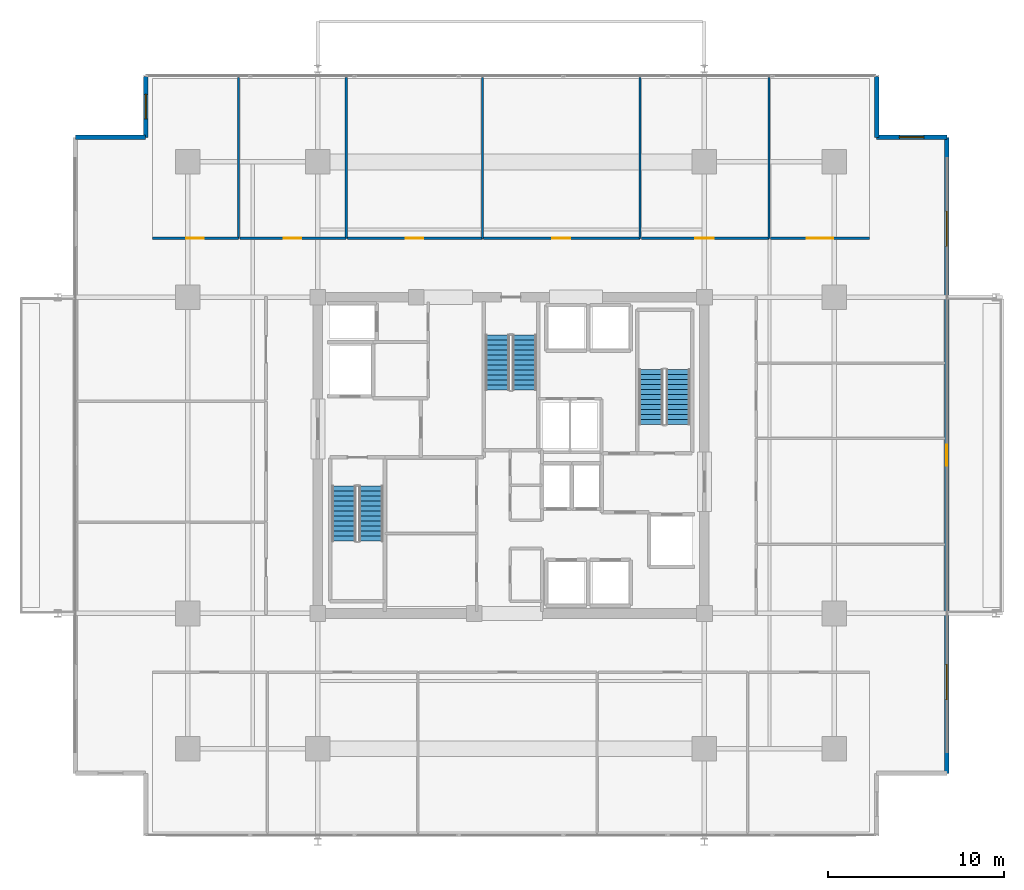
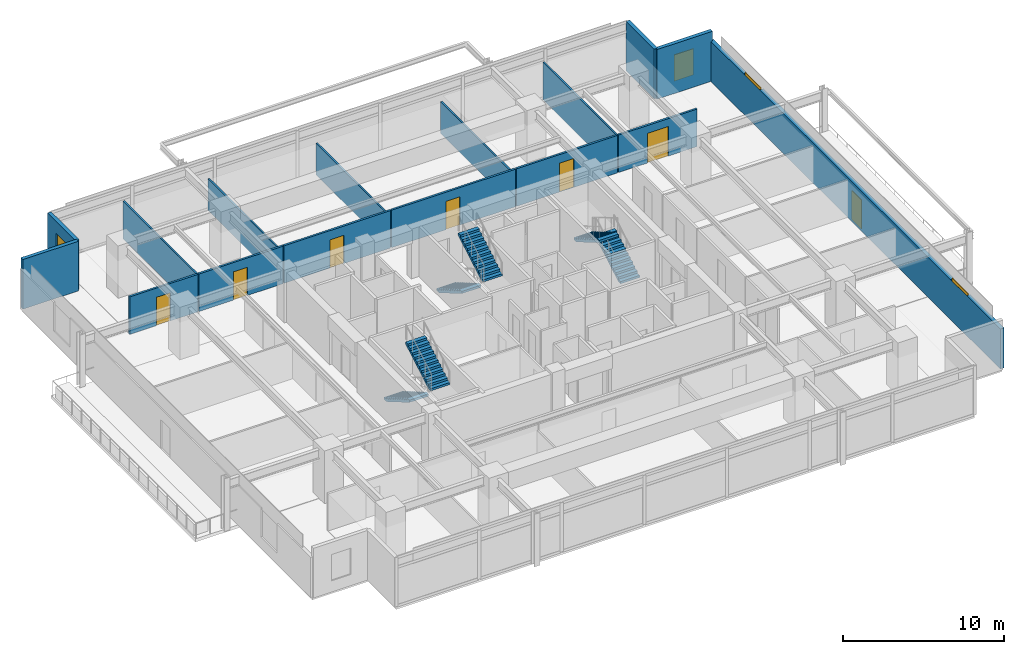
# One storey, part 17 of 21: 16 walls, 7 doors, 6 stair flights, 4 windows, 11 openings, 3 elements without a shape of their own.
"""IFC4 building model written with IfcOpenShell, lengths in metres."""

from ifc_helpers import new_model, si_unit, direction, frame, frame_2d, origin, place, context, subcontext, project, spatial, polyline, rectangle, outline, extrude, material, layer, layer_set, type_object, element, fill, aggregate, save


model = new_model("IFC4")

# Units and contexts
model_context = context("Model", 3, precision=1e-05, world=origin(), true_north=direction((0.0, 1.0)))
body_context = subcontext(model_context, "Body", "Model", "MODEL_VIEW")
ifc_project = project(units=[si_unit("LENGTHUNIT", "METRE"), si_unit("AREAUNIT", "SQUARE_METRE"), si_unit("VOLUMEUNIT", "CUBIC_METRE"), si_unit("PLANEANGLEUNIT", "RADIAN"), si_unit("MASSUNIT", "GRAM", prefix="KILO")], contexts=[model_context])

# Site, building, storey
site_placement = place(None, origin())
site = spatial("IfcSite", under=ifc_project, at=site_placement, CompositionType="ELEMENT")
building_placement = place(site_placement, origin())
building = spatial("IfcBuilding", under=site, at=building_placement, Name="Kovane Verandah Tower", CompositionType="ELEMENT")
storey_placement = place(building_placement, frame((0.0, 0.0, 205.199951171875)))
storey = spatial("IfcBuildingStorey", under=building, at=storey_placement, Name="L47", CompositionType="ELEMENT", Elevation=205.199951171875)

# Wall, opening, door
ifc_material_1 = material(Name="Fire-Rated Gypsum Stud Partition", Category="gypsum")
ifc_layer_1 = layer(ifc_material_1, 0.14990234375)
ifc_layer_set_1 = layer_set([ifc_layer_1], Name="Fire-Rated Gypsum Stud Partition")
wall_type_1 = type_object("IfcWallType", Name="WL-COR-150", PredefinedType="PARTITIONING", material=ifc_layer_set_1)
wall_1_placement = place(storey_placement, frame((19.60009765625, 39.85009765625, 0.0), z_axis=(0.0, 0.0, 1.0), x_axis=(1.0, 0.0, 0.0)))
wall_1 = element("IfcWall", 1, at=wall_1_placement, inside=storey, type_object=wall_type_1, Name="L47 Breakout Pantry N1 Corridor Partition", PredefinedType="PARTITIONING", context=body_context, shape_type="SweptSolid", body=[
    extrude(rectangle(XDim=4.89599609375, YDim=0.14990234375, at=frame_2d((2.447998046875, 0.0))), origin(), (0.0, 0.0, 1.0), 2.85009765625),
])
opening_1_placement = place(wall_1_placement, frame((1.9130859375, 0.0, 0.0)))
opening_1 = element("IfcOpeningElement", 2, at=opening_1_placement, cuts=wall_1, Name="Opening DR-L47-020", PredefinedType="OPENING", context=body_context, shape_type="SweptSolid", body=[
    extrude(rectangle(XDim=1.0, YDim=2.14990234375, at=frame_2d((0.5, 1.074951171875))), frame((0.0, 0.074951171875, 0.0), z_axis=(0.0, -1.0, 0.0), x_axis=(1.0, 0.0, 0.0)), (0.0, 0.0, 1.0), 0.14990234375),
])
ifc_material_2 = material(Name="FSC Spotted-Gum Timber Fire-Rated Office Door", Category="wood")
door_type_1 = type_object("IfcDoorType", Name="DR-OFF-1000", OperationType="SINGLE_SWING_LEFT", PredefinedType="DOOR", material=ifc_material_2)
door_1_placement = place(opening_1_placement, origin())
door_1 = element("IfcDoor", 3, at=door_1_placement, inside=storey, type_object=door_type_1, Name="L47 Breakout Pantry N1 Entrance Door", OperationType="SINGLE_SWING_RIGHT", OverallHeight=2.14990234375, OverallWidth=1.0, PredefinedType="DOOR", context=body_context, shape_type="SweptSolid", body=[
    extrude(rectangle(XDim=1.0, YDim=2.14990234375, at=frame_2d((0.5, 1.074951171875))), frame((0.0, 0.02490234375, 0.0), z_axis=(0.0, -1.0, 0.0), x_axis=(1.0, 0.0, 0.0)), (0.0, 0.0, 1.0), 0.050048828125),
])
fill(opening_1, door_1)

wall_2_placement = place(storey_placement, frame((24.56591796875, 39.85009765625, 0.0), z_axis=(0.0, 0.0, 1.0), x_axis=(1.0, 0.0, 0.0)))
wall_2 = element("IfcWall", 4, at=wall_2_placement, inside=storey, type_object=wall_type_1, Name="L47 Collaboration Hub N2 Corridor Partition", PredefinedType="PARTITIONING", context=body_context, shape_type="SweptSolid", body=[
    extrude(rectangle(XDim=6.050048828125, YDim=0.14990234375, at=frame_2d((3.02490234375, 0.0))), origin(), (0.0, 0.0, 1.0), 2.85009765625),
])
opening_2_placement = place(wall_2_placement, frame((2.489990234375, 0.0, 0.0)))
opening_2 = element("IfcOpeningElement", 5, at=opening_2_placement, cuts=wall_2, Name="Opening DR-L47-021", PredefinedType="OPENING", context=body_context, shape_type="SweptSolid", body=[
    extrude(rectangle(XDim=1.0, YDim=2.14990234375, at=frame_2d((0.5, 1.074951171875))), frame((0.0, 0.074951171875, 0.0), z_axis=(0.0, -1.0, 0.0), x_axis=(1.0, 0.0, 0.0)), (0.0, 0.0, 1.0), 0.14990234375),
])
door_2_placement = place(opening_2_placement, origin())
door_2 = element("IfcDoor", 6, at=door_2_placement, inside=storey, type_object=door_type_1, Name="L47 Collaboration Hub N2 Entrance Door", OperationType="SINGLE_SWING_LEFT", OverallHeight=2.14990234375, OverallWidth=1.0, PredefinedType="DOOR", context=body_context, shape_type="SweptSolid", body=[
    extrude(rectangle(XDim=1.0, YDim=2.14990234375, at=frame_2d((0.5, 1.074951171875))), frame((0.0, 0.02490234375, 0.0), z_axis=(0.0, -1.0, 0.0), x_axis=(1.0, 0.0, 0.0)), (0.0, 0.0, 1.0), 0.050048828125),
])
fill(opening_2, door_2)

wall_3_placement = place(storey_placement, frame((30.68603515625, 39.85009765625, 0.0), z_axis=(0.0, 0.0, 1.0), x_axis=(1.0, 0.0, 0.0)))
wall_3 = element("IfcWall", 7, at=wall_3_placement, inside=storey, type_object=wall_type_1, Name="L47 Document and Print Room N3 Corridor Partition", PredefinedType="PARTITIONING", context=body_context, shape_type="SweptSolid", body=[
    extrude(rectangle(XDim=7.681884765625, YDim=0.14990234375, at=frame_2d((3.8408203125, 0.0))), origin(), (0.0, 0.0, 1.0), 2.85009765625),
])
opening_3_placement = place(wall_3_placement, frame((3.305908203125, 0.0, 0.0)))
opening_3 = element("IfcOpeningElement", 8, at=opening_3_placement, cuts=wall_3, Name="Opening DR-L47-022", PredefinedType="OPENING", context=body_context, shape_type="SweptSolid", body=[
    extrude(rectangle(XDim=1.0, YDim=2.14990234375, at=frame_2d((0.5, 1.074951171875))), frame((0.0, 0.074951171875, 0.0), z_axis=(0.0, -1.0, 0.0), x_axis=(1.0, 0.0, 0.0)), (0.0, 0.0, 1.0), 0.14990234375),
])
door_3_placement = place(opening_3_placement, origin())
door_3 = element("IfcDoor", 9, at=door_3_placement, inside=storey, type_object=door_type_1, Name="L47 Document and Print Room N3 Entrance Door", OperationType="SINGLE_SWING_RIGHT", OverallHeight=2.14990234375, OverallWidth=1.0, PredefinedType="DOOR", context=body_context, shape_type="SweptSolid", body=[
    extrude(rectangle(XDim=1.0, YDim=2.14990234375, at=frame_2d((0.5, 1.074951171875))), frame((0.0, 0.02490234375, 0.0), z_axis=(0.0, -1.0, 0.0), x_axis=(1.0, 0.0, 0.0)), (0.0, 0.0, 1.0), 0.050048828125),
])
fill(opening_3, door_3)

wall_4_placement = place(storey_placement, frame((38.43798828125, 39.85009765625, 0.0), z_axis=(0.0, 0.0, 1.0), x_axis=(1.0, 0.0, 0.0)))
wall_4 = element("IfcWall", 10, at=wall_4_placement, inside=storey, type_object=wall_type_1, Name="L47 Open Plan Office N4 Corridor Partition", PredefinedType="PARTITIONING", context=body_context, shape_type="SweptSolid", body=[
    extrude(rectangle(XDim=8.906005859375, YDim=0.14990234375, at=frame_2d((4.453125, 0.0))), origin(), (0.0, 0.0, 1.0), 2.85009765625),
])
opening_4_placement = place(wall_4_placement, frame((3.91796875, 0.0, 0.0)))
opening_4 = element("IfcOpeningElement", 11, at=opening_4_placement, cuts=wall_4, Name="Opening DR-L47-023", PredefinedType="OPENING", context=body_context, shape_type="SweptSolid", body=[
    extrude(rectangle(XDim=1.0, YDim=2.14990234375, at=frame_2d((0.5, 1.074951171875))), frame((0.0, 0.074951171875, 0.0), z_axis=(0.0, -1.0, 0.0), x_axis=(1.0, 0.0, 0.0)), (0.0, 0.0, 1.0), 0.14990234375),
])
door_4_placement = place(opening_4_placement, origin())
door_4 = element("IfcDoor", 12, at=door_4_placement, inside=storey, type_object=door_type_1, Name="L47 Open Plan Office N4 Entrance Door", OperationType="SINGLE_SWING_LEFT", OverallHeight=2.14990234375, OverallWidth=1.0, PredefinedType="DOOR", context=body_context, shape_type="SweptSolid", body=[
    extrude(rectangle(XDim=1.0, YDim=2.14990234375, at=frame_2d((0.5, 1.074951171875))), frame((0.0, 0.02490234375, 0.0), z_axis=(0.0, -1.0, 0.0), x_axis=(1.0, 0.0, 0.0)), (0.0, 0.0, 1.0), 0.050048828125),
])
fill(opening_4, door_4)

wall_5_placement = place(storey_placement, frame((47.4140625, 39.85009765625, 0.0), z_axis=(0.0, 0.0, 1.0), x_axis=(1.0, 0.0, 0.0)))
wall_5 = element("IfcWall", 13, at=wall_5_placement, inside=storey, type_object=wall_type_1, Name="L47 Executive Office N5 Corridor Partition", PredefinedType="PARTITIONING", context=body_context, shape_type="SweptSolid", body=[
    extrude(rectangle(XDim=7.27392578125, YDim=0.14990234375, at=frame_2d((3.636962890625, 0.0))), origin(), (0.0, 0.0, 1.0), 2.85009765625),
])
opening_5_placement = place(wall_5_placement, frame((3.076904296875, 0.0, 0.0)))
opening_5 = element("IfcOpeningElement", 14, at=opening_5_placement, cuts=wall_5, Name="Opening DR-L47-024", PredefinedType="OPENING", context=body_context, shape_type="SweptSolid", body=[
    extrude(rectangle(XDim=1.050048828125, YDim=2.199951171875, at=frame_2d((0.52490234375, 1.10009765625))), frame((0.0, 0.074951171875, 0.0), z_axis=(0.0, -1.0, 0.0), x_axis=(1.0, 0.0, 0.0)), (0.0, 0.0, 1.0), 0.14990234375),
])
ifc_material_3 = material(Name="FSC Blackbutt Timber Fire-Rated Executive Door", Category="wood")
door_type_2 = type_object("IfcDoorType", Name="DR-EXEC-1050", OperationType="SINGLE_SWING_LEFT", PredefinedType="DOOR", material=ifc_material_3)
door_5_placement = place(opening_5_placement, origin())
door_5 = element("IfcDoor", 15, at=door_5_placement, inside=storey, type_object=door_type_2, Name="L47 Executive Office N5 Entrance Door", OperationType="SINGLE_SWING_RIGHT", OverallHeight=2.199951171875, OverallWidth=1.050048828125, PredefinedType="DOOR", context=body_context, shape_type="SweptSolid", body=[
    extrude(rectangle(XDim=1.050048828125, YDim=2.199951171875, at=frame_2d((0.52490234375, 1.10009765625))), frame((0.0, 0.02490234375, 0.0), z_axis=(0.0, -1.0, 0.0), x_axis=(1.0, 0.0, 0.0)), (0.0, 0.0, 1.0), 0.050048828125),
])
fill(opening_5, door_5)

wall_6_placement = place(storey_placement, frame((54.758056640625, 39.85009765625, 0.0), z_axis=(0.0, 0.0, 1.0), x_axis=(1.0, 0.0, 0.0)))
wall_6 = element("IfcWall", 16, at=wall_6_placement, inside=storey, type_object=wall_type_1, Name="L47 Client Boardroom N6 Corridor Partition", PredefinedType="PARTITIONING", context=body_context, shape_type="SweptSolid", body=[
    extrude(rectangle(XDim=5.641845703125, YDim=0.14990234375, at=frame_2d((2.82080078125, 0.0))), origin(), (0.0, 0.0, 1.0), 2.85009765625),
])
opening_6_placement = place(wall_6_placement, frame((2.071044921875, 0.0, 0.0)))
opening_6 = element("IfcOpeningElement", 17, at=opening_6_placement, cuts=wall_6, Name="Opening DR-L47-025", PredefinedType="OPENING", context=body_context, shape_type="SweptSolid", body=[
    extrude(rectangle(XDim=1.5, YDim=2.25, at=frame_2d((0.75, 1.125))), frame((0.0, 0.074951171875, 0.0), z_axis=(0.0, -1.0, 0.0), x_axis=(1.0, 0.0, 0.0)), (0.0, 0.0, 1.0), 0.14990234375),
])
ifc_material_4 = material(Name="Glazed Timber Fire-Rated Double Door", Category="wood")
door_type_3 = type_object("IfcDoorType", Name="DR-CONF-1500", OperationType="DOUBLE_DOOR_SINGLE_SWING", PredefinedType="DOOR", material=ifc_material_4)
door_6_placement = place(opening_6_placement, origin())
door_6 = element("IfcDoor", 18, at=door_6_placement, inside=storey, type_object=door_type_3, Name="L47 Client Boardroom N6 Entrance Door", OperationType="DOUBLE_DOOR_SINGLE_SWING", OverallHeight=2.25, OverallWidth=1.5, PredefinedType="DOOR", context=body_context, shape_type="SweptSolid", body=[
    extrude(rectangle(XDim=1.5, YDim=2.25, at=frame_2d((0.75, 1.125))), frame((0.0, 0.02490234375, 0.0), z_axis=(0.0, -1.0, 0.0), x_axis=(1.0, 0.0, 0.0)), (0.0, 0.0, 1.0), 0.050048828125),
])
fill(opening_6, door_6)

# Walls
ifc_material_5 = material(Name="Acoustic Fire-Rated Gypsum Partition", Category="gypsum")
ifc_layer_2 = layer(ifc_material_5, 0.1201171875)
ifc_layer_set_2 = layer_set([ifc_layer_2], Name="Acoustic Fire-Rated Gypsum Partition")
wall_type_2 = type_object("IfcWallType", Name="WL-PART-120", PredefinedType="PARTITIONING", material=ifc_layer_set_2)
wall_7_placement = place(storey_placement, frame((24.49609375, 39.85009765625, 0.0), z_axis=(0.0, 0.0, 1.0), x_axis=(0.0, 1.0, 0.0)))
element("IfcWall", 19, at=wall_7_placement, inside=storey, type_object=wall_type_2, Name="L47 Breakout Pantry N1 Dividing Partition", PredefinedType="PARTITIONING", context=body_context, shape_type="SweptSolid", body=[
    extrude(rectangle(XDim=9.14990234375, YDim=0.1201171875, at=frame_2d((4.574951171875, 0.0))), origin(), (0.0, 0.0, 1.0), 2.85009765625),
])
for number, where, z_axis, x_axis, name in (
    (20, (30.615966796875, 39.85009765625, 0.0), (0.0, 0.0, 1.0), (0.0, 1.0, 0.0), "L47 Collaboration Hub N2 Dividing Partition"),
    (21, (38.367919921875, 39.85009765625, 0.0), (0.0, 0.0, 1.0), (0.0, 1.0, 0.0), "L47 Document and Print Room N3 Dividing Partition"),
    (22, (47.343994140625, 39.85009765625, 0.0), (0.0, 0.0, 1.0), (0.0, 1.0, 0.0), "L47 Open Plan Office N4 Dividing Partition"),
):
    element("IfcWall", number, at=place(storey_placement, frame(where, z_axis=z_axis, x_axis=x_axis)), inside=storey, type_object=wall_type_2, Name=name, PredefinedType="PARTITIONING", context=body_context, shape_type="SweptSolid", body=[
        extrude(rectangle(XDim=9.14990234375, YDim=0.1201171875, at=frame_2d((4.574951171875, 0.0))), origin(), (0.0, 0.0, 1.0), 2.405029296875),
    ])
wall_8_placement = place(storey_placement, frame((54.68798828125, 39.85009765625, 0.0), z_axis=(0.0, 0.0, 1.0), x_axis=(0.0, 1.0, 0.0)))
element("IfcWall", 23, at=wall_8_placement, inside=storey, type_object=wall_type_2, Name="L47 Executive Office N5 Dividing Partition", PredefinedType="PARTITIONING", context=body_context, shape_type="SweptSolid", body=[
    extrude(rectangle(XDim=9.14990234375, YDim=0.1201171875, at=frame_2d((4.574951171875, 0.0))), origin(), (0.0, 0.0, 1.0), 2.85009765625),
])

# Wall, openings, door, windows
ifc_material_6 = material(Name="Concrete C45/55 Insulated Spandrel Wall", Category="concrete")
ifc_layer_3 = layer(ifc_material_6, 0.260009765625)
ifc_layer_set_3 = layer_set([ifc_layer_3], Name="Concrete C45/55 Insulated Spandrel Wall")
wall_type_3 = type_object("IfcWallType", Name="WL-SPANDREL-260", PredefinedType="PARAPET", material=ifc_layer_set_3)
wall_9_placement = place(storey_placement, frame((64.800048828125, 9.39990234375, 0.0), z_axis=(0.0, 0.0, 1.0), x_axis=(0.0, 1.0, 0.0)))
wall_9 = element("IfcWall", 24, at=wall_9_placement, inside=storey, type_object=wall_type_3, Name="L47 E Verandah Access Facade Wall", PredefinedType="PARAPET", context=body_context, shape_type="SweptSolid", body=[
    extrude(rectangle(XDim=36.2001953125, YDim=0.260009765625, at=frame_2d((18.10009765625, 0.0))), origin(), (0.0, 0.0, 1.0), 3.047119140625),
])
opening_7_placement = place(wall_9_placement, frame((4.199951171875, 0.0, 0.85009765625)))
opening_7 = element("IfcOpeningElement", 25, at=opening_7_placement, cuts=wall_9, Name="Opening W-04", PredefinedType="OPENING", context=body_context, shape_type="SweptSolid", body=[
    extrude(rectangle(XDim=2.0, YDim=2.300048828125, at=frame_2d((1.0, 1.14990234375))), frame((0.0, 0.1298828125, 0.0), z_axis=(0.0, -1.0, 0.0), x_axis=(1.0, 0.0, 0.0)), (0.0, 0.0, 1.0), 0.260009765625),
])
opening_8_placement = place(wall_9_placement, frame((17.5, 0.0, 0.0)))
opening_8 = element("IfcOpeningElement", 26, at=opening_8_placement, cuts=wall_9, Name="Opening DR-L47-001", PredefinedType="OPENING", context=body_context, shape_type="SweptSolid", body=[
    extrude(rectangle(XDim=1.199951171875, YDim=2.199951171875, at=frame_2d((0.60009765625, 1.10009765625))), frame((0.0, 0.1298828125, 0.0), z_axis=(0.0, -1.0, 0.0), x_axis=(1.0, 0.0, 0.0)), (0.0, 0.0, 1.0), 0.260009765625),
])
opening_9_placement = place(wall_9_placement, frame((30.0, 0.0, 0.85009765625)))
opening_9 = element("IfcOpeningElement", 27, at=opening_9_placement, cuts=wall_9, Name="Opening W-04", PredefinedType="OPENING", context=body_context, shape_type="SweptSolid", body=[
    extrude(rectangle(XDim=2.0, YDim=2.300048828125, at=frame_2d((1.0, 1.14990234375))), frame((0.0, 0.1298828125, 0.0), z_axis=(0.0, -1.0, 0.0), x_axis=(1.0, 0.0, 0.0)), (0.0, 0.0, 1.0), 0.260009765625),
])
ifc_material_7 = material(Name="Cyclone-Rated Glazed Balcony Leaf Door", Category="aluminium")
door_type_4 = type_object("IfcDoorType", Name="DR-BAL-1200x2200", OperationType="SINGLE_SWING_LEFT", PredefinedType="DOOR", material=ifc_material_7)
door_7_placement = place(opening_8_placement, origin())
door_7 = element("IfcDoor", 28, at=door_7_placement, inside=storey, type_object=door_type_4, Name="L47 E Planted Balcony Access Door", OperationType="SINGLE_SWING_LEFT", OverallHeight=2.199951171875, OverallWidth=1.199951171875, PredefinedType="DOOR", context=body_context, shape_type="SweptSolid", body=[
    extrude(rectangle(XDim=1.199951171875, YDim=2.199951171875, at=frame_2d((0.60009765625, 1.10009765625))), frame((0.0, 0.02490234375, 0.0), z_axis=(0.0, -1.0, 0.0), x_axis=(1.0, 0.0, 0.0)), (0.0, 0.0, 1.0), 0.050048828125),
])
fill(opening_8, door_7)
ifc_material_8 = material(Name="Clear Low-E Laminated Double Glazing in Anodised Frame", Category="glass")
window_type_1 = type_object("IfcWindowType", Name="WN-FIXED-2000x2300", PartitioningType="SINGLE_PANEL", PredefinedType="WINDOW", material=ifc_material_8)
window_1_placement = place(opening_7_placement, origin())
window_1 = element("IfcWindow", 29, at=window_1_placement, inside=storey, type_object=window_type_1, Name="L47 E Verandah View Window 1", OverallHeight=2.300048828125, OverallWidth=2.0, PartitioningType="SINGLE_PANEL", PredefinedType="WINDOW", context=body_context, shape_type="SweptSolid", body=[
    extrude(rectangle(XDim=2.0, YDim=2.300048828125, at=frame_2d((1.0, 1.14990234375))), frame((0.0, 0.030029296875, 0.0), z_axis=(0.0, -1.0, 0.0), x_axis=(1.0, 0.0, 0.0)), (0.0, 0.0, 1.0), 0.06005859375),
])
fill(opening_7, window_1)
window_2_placement = place(opening_9_placement, origin())
window_2 = element("IfcWindow", 30, at=window_2_placement, inside=storey, type_object=window_type_1, Name="L47 E Verandah View Window 2", OverallHeight=2.300048828125, OverallWidth=2.0, PartitioningType="SINGLE_PANEL", PredefinedType="WINDOW", context=body_context, shape_type="SweptSolid", body=[
    extrude(rectangle(XDim=2.0, YDim=2.300048828125, at=frame_2d((1.0, 1.14990234375))), frame((0.0, 0.030029296875, 0.0), z_axis=(0.0, -1.0, 0.0), x_axis=(1.0, 0.0, 0.0)), (0.0, 0.0, 1.0), 0.06005859375),
])
fill(opening_9, window_2)

# Wall, opening, window
wall_10_placement = place(storey_placement, frame((64.800048828125, 45.60009765625, 0.0), z_axis=(0.0, 0.0, 1.0), x_axis=(-1.0, 0.0, 0.0)))
wall_10 = element("IfcWall", 31, at=wall_10_placement, inside=storey, type_object=wall_type_3, Name="L47 NE Notch Cheek Wall 1", PredefinedType="PARAPET", context=body_context, shape_type="SweptSolid", body=[
    extrude(rectangle(XDim=4.0, YDim=0.260009765625, at=frame_2d((2.0, 0.0))), origin(), (0.0, 0.0, 1.0), 3.775146484375),
])
opening_10_placement = place(wall_10_placement, frame((1.300048828125, 0.0, 0.85009765625)))
opening_10 = element("IfcOpeningElement", 32, at=opening_10_placement, cuts=wall_10, Name="Opening W-01", PredefinedType="OPENING", context=body_context, shape_type="SweptSolid", body=[
    extrude(rectangle(XDim=1.39990234375, YDim=2.0, at=frame_2d((0.699951171875, 1.0))), frame((0.0, 0.1298828125, 0.0), z_axis=(0.0, -1.0, 0.0), x_axis=(1.0, 0.0, 0.0)), (0.0, 0.0, 1.0), 0.260009765625),
])
window_type_2 = type_object("IfcWindowType", Name="WN-OPER-1400x2000", PartitioningType="SINGLE_PANEL", PredefinedType="WINDOW", material=ifc_material_8)
window_3_placement = place(opening_10_placement, origin())
window_3 = element("IfcWindow", 33, at=window_3_placement, inside=storey, type_object=window_type_2, Name="L47 NE Re-Entrant Corner Operable Window", OverallHeight=2.0, OverallWidth=1.39990234375, PartitioningType="SINGLE_PANEL", PredefinedType="WINDOW", context=body_context, shape_type="SweptSolid", body=[
    extrude(rectangle(XDim=1.39990234375, YDim=2.0, at=frame_2d((0.699951171875, 1.0))), frame((0.0, 0.030029296875, 0.0), z_axis=(0.0, -1.0, 0.0), x_axis=(1.0, 0.0, 0.0)), (0.0, 0.0, 1.0), 0.06005859375),
])
fill(opening_10, window_3)

# Wall
wall_11_placement = place(storey_placement, frame((60.800048828125, 45.60009765625, 0.0), z_axis=(0.0, 0.0, 1.0), x_axis=(0.0, 1.0, 0.0)))
element("IfcWall", 34, at=wall_11_placement, inside=storey, type_object=wall_type_3, Name="L47 NE Notch Cheek Wall 2", PredefinedType="PARAPET", context=body_context, shape_type="SweptSolid", body=[
    extrude(rectangle(XDim=3.5, YDim=0.260009765625, at=frame_2d((1.75, 0.0))), origin(), (0.0, 0.0, 1.0), 3.775146484375),
])

# Wall, opening, window
wall_12_placement = place(storey_placement, frame((19.199951171875, 49.10009765625, 0.0), z_axis=(0.0, 0.0, 1.0), x_axis=(0.0, -1.0, 0.0)))
wall_12 = element("IfcWall", 35, at=wall_12_placement, inside=storey, type_object=wall_type_3, Name="L47 NW Notch Cheek Wall 1", PredefinedType="PARAPET", context=body_context, shape_type="SweptSolid", body=[
    extrude(rectangle(XDim=3.5, YDim=0.260009765625, at=frame_2d((1.75, 0.0))), origin(), (0.0, 0.0, 1.0), 3.775146484375),
])
opening_11_placement = place(wall_12_placement, frame((1.050048828125, 0.0, 0.85009765625)))
opening_11 = element("IfcOpeningElement", 36, at=opening_11_placement, cuts=wall_12, Name="Opening W-01", PredefinedType="OPENING", context=body_context, shape_type="SweptSolid", body=[
    extrude(rectangle(XDim=1.39990234375, YDim=2.0, at=frame_2d((0.699951171875, 1.0))), frame((0.0, 0.1298828125, 0.0), z_axis=(0.0, -1.0, 0.0), x_axis=(1.0, 0.0, 0.0)), (0.0, 0.0, 1.0), 0.260009765625),
])
window_4_placement = place(opening_11_placement, origin())
window_4 = element("IfcWindow", 37, at=window_4_placement, inside=storey, type_object=window_type_2, Name="L47 NW Re-Entrant Corner Operable Window", OverallHeight=2.0, OverallWidth=1.39990234375, PartitioningType="SINGLE_PANEL", PredefinedType="WINDOW", context=body_context, shape_type="SweptSolid", body=[
    extrude(rectangle(XDim=1.39990234375, YDim=2.0, at=frame_2d((0.699951171875, 1.0))), frame((0.0, 0.030029296875, 0.0), z_axis=(0.0, -1.0, 0.0), x_axis=(1.0, 0.0, 0.0)), (0.0, 0.0, 1.0), 0.06005859375),
])
fill(opening_11, window_4)

# Wall
wall_13_placement = place(storey_placement, frame((19.199951171875, 45.60009765625, 0.0), z_axis=(0.0, 0.0, 1.0), x_axis=(-1.0, 0.0, 0.0)))
element("IfcWall", 38, at=wall_13_placement, inside=storey, type_object=wall_type_3, Name="L47 NW Notch Cheek Wall 2", PredefinedType="PARAPET", context=body_context, shape_type="SweptSolid", body=[
    extrude(rectangle(XDim=4.0, YDim=0.260009765625, at=frame_2d((2.0, 0.0))), origin(), (0.0, 0.0, 1.0), 3.775146484375),
])

# Stair, stair flights
ifc_material_9 = material(Name="Concrete C45/55", Category="concrete")
stair_type = type_object("IfcStairType", Name="ST-CORE-1380", PredefinedType="HALF_TURN_STAIR", material=ifc_material_9)
stair_1_placement = place(storey_placement, origin())
stair_1 = element("IfcStair", 39, at=stair_1_placement, inside=storey, type_object=stair_type, Name="L47 Exit Stair ST-01", PredefinedType="HALF_TURN_STAIR")
stair_flight_type = type_object("IfcStairFlightType", Name="STF-CORE-1380", PredefinedType="STRAIGHT", material=ifc_material_9)
stair_flight_1_placement = place(storey_placement, frame((30.489990234375, 25.75, 0.0), z_axis=(0.0, 0.0, 1.0), x_axis=(0.0, -1.0, 0.0)))
stair_flight_1 = element("IfcStairFlight", 40, at=stair_flight_1_placement, type_object=stair_flight_type, Name="ST-01 flight 1", NumberOfRisers=12, NumberOfTreads=11, PredefinedType="STRAIGHT", RiserHeight=0.166666667, TreadLength=0.285, context=body_context, shape_type="SweptSolid", body=[
    extrude(outline(polyline([(0.0, 0.0), (0.0, 0.166748046875), (0.284912109375, 0.166748046875), (0.284912109375, 0.333251953125), (0.570068359375, 0.333251953125), (0.570068359375, 0.5), (0.85498046875, 0.5), (0.85498046875, 0.666748046875), (1.139892578125, 0.666748046875), (1.139892578125, 0.833251953125), (1.425048828125, 0.833251953125), (1.425048828125, 1.0), (1.7099609375, 1.0), (1.7099609375, 1.166748046875), (1.9951171875, 1.166748046875), (1.9951171875, 1.333251953125), (2.280029296875, 1.333251953125), (2.280029296875, 1.5), (2.56494140625, 1.5), (2.56494140625, 1.666748046875), (2.85009765625, 1.666748046875), (2.85009765625, 1.833251953125), (3.135009765625, 1.833251953125), (3.135009765625, 2.0), (3.135009765625, 1.65966796875), (0.296875, 0.0), (0.0, 0.0)])), frame((0.0, 0.68994140625, 0.0), z_axis=(0.0, -1.0, 0.0), x_axis=(1.0, 0.0, 0.0)), (0.0, 0.0, 1.0), 1.3798828125),
])
stair_flight_2_placement = place(storey_placement, frame((32.030029296875, 22.614990234375, 2.0), z_axis=(0.0, 0.0, 1.0), x_axis=(0.0, 1.0, 0.0)))
stair_flight_2 = element("IfcStairFlight", 41, at=stair_flight_2_placement, type_object=stair_flight_type, Name="ST-01 flight 2", NumberOfRisers=12, NumberOfTreads=11, PredefinedType="STRAIGHT", RiserHeight=0.166666667, TreadLength=0.285, context=body_context, shape_type="SweptSolid", body=[
    extrude(outline(polyline([(0.0, 0.0), (0.0, 0.166748046875), (0.284912109375, 0.166748046875), (0.284912109375, 0.333251953125), (0.570068359375, 0.333251953125), (0.570068359375, 0.5), (0.85498046875, 0.5), (0.85498046875, 0.666748046875), (1.139892578125, 0.666748046875), (1.139892578125, 0.833251953125), (1.425048828125, 0.833251953125), (1.425048828125, 1.0), (1.7099609375, 1.0), (1.7099609375, 1.166748046875), (1.9951171875, 1.166748046875), (1.9951171875, 1.333251953125), (2.280029296875, 1.333251953125), (2.280029296875, 1.5), (2.56494140625, 1.5), (2.56494140625, 1.666748046875), (2.85009765625, 1.666748046875), (2.85009765625, 1.833251953125), (3.135009765625, 1.833251953125), (3.135009765625, 2.0), (3.135009765625, 1.65966796875), (0.296875, 0.0), (0.0, 0.0)])), frame((0.0, 0.68994140625, 0.0), z_axis=(0.0, -1.0, 0.0), x_axis=(1.0, 0.0, 0.0)), (0.0, 0.0, 1.0), 1.3798828125),
])
aggregate(stair_1, [stair_flight_1, stair_flight_2])

stair_2_placement = place(storey_placement, origin())
stair_2 = element("IfcStair", 42, at=stair_2_placement, inside=storey, type_object=stair_type, Name="L47 Exit Stair ST-02", PredefinedType="HALF_TURN_STAIR")
stair_flight_3_placement = place(storey_placement, frame((49.510009765625, 29.25, 0.0), z_axis=(0.0, 0.0, 1.0), x_axis=(0.0, 1.0, 0.0)))
stair_flight_3 = element("IfcStairFlight", 43, at=stair_flight_3_placement, type_object=stair_flight_type, Name="ST-02 flight 1", NumberOfRisers=12, NumberOfTreads=11, PredefinedType="STRAIGHT", RiserHeight=0.166666667, TreadLength=0.285, context=body_context, shape_type="SweptSolid", body=[
    extrude(outline(polyline([(0.0, 0.0), (0.0, 0.166748046875), (0.284912109375, 0.166748046875), (0.284912109375, 0.333251953125), (0.570068359375, 0.333251953125), (0.570068359375, 0.5), (0.85498046875, 0.5), (0.85498046875, 0.666748046875), (1.139892578125, 0.666748046875), (1.139892578125, 0.833251953125), (1.425048828125, 0.833251953125), (1.425048828125, 1.0), (1.7099609375, 1.0), (1.7099609375, 1.166748046875), (1.9951171875, 1.166748046875), (1.9951171875, 1.333251953125), (2.280029296875, 1.333251953125), (2.280029296875, 1.5), (2.56494140625, 1.5), (2.56494140625, 1.666748046875), (2.85009765625, 1.666748046875), (2.85009765625, 1.833251953125), (3.135009765625, 1.833251953125), (3.135009765625, 2.0), (3.135009765625, 1.65966796875), (0.296875, 0.0), (0.0, 0.0)])), frame((0.0, 0.68994140625, 0.0), z_axis=(0.0, -1.0, 0.0), x_axis=(1.0, 0.0, 0.0)), (0.0, 0.0, 1.0), 1.3798828125),
])
stair_flight_4_placement = place(storey_placement, frame((47.969970703125, 32.385009765625, 2.0), z_axis=(0.0, 0.0, 1.0), x_axis=(0.0, -1.0, 0.0)))
stair_flight_4 = element("IfcStairFlight", 44, at=stair_flight_4_placement, type_object=stair_flight_type, Name="ST-02 flight 2", NumberOfRisers=12, NumberOfTreads=11, PredefinedType="STRAIGHT", RiserHeight=0.166666667, TreadLength=0.285, context=body_context, shape_type="SweptSolid", body=[
    extrude(outline(polyline([(0.0, 0.0), (0.0, 0.166748046875), (0.284912109375, 0.166748046875), (0.284912109375, 0.333251953125), (0.570068359375, 0.333251953125), (0.570068359375, 0.5), (0.85498046875, 0.5), (0.85498046875, 0.666748046875), (1.139892578125, 0.666748046875), (1.139892578125, 0.833251953125), (1.425048828125, 0.833251953125), (1.425048828125, 1.0), (1.7099609375, 1.0), (1.7099609375, 1.166748046875), (1.9951171875, 1.166748046875), (1.9951171875, 1.333251953125), (2.280029296875, 1.333251953125), (2.280029296875, 1.5), (2.56494140625, 1.5), (2.56494140625, 1.666748046875), (2.85009765625, 1.666748046875), (2.85009765625, 1.833251953125), (3.135009765625, 1.833251953125), (3.135009765625, 2.0), (3.135009765625, 1.65966796875), (0.296875, 0.0), (0.0, 0.0)])), frame((0.0, 0.68994140625, 0.0), z_axis=(0.0, -1.0, 0.0), x_axis=(1.0, 0.0, 0.0)), (0.0, 0.0, 1.0), 1.3798828125),
])
aggregate(stair_2, [stair_flight_3, stair_flight_4])

stair_3_placement = place(storey_placement, origin())
stair_3 = element("IfcStair", 45, at=stair_3_placement, inside=storey, type_object=stair_type, Name="L47 Exit Stair ST-03", PredefinedType="HALF_TURN_STAIR")
stair_flight_5_placement = place(storey_placement, frame((39.22998046875, 34.35009765625, 0.0), z_axis=(0.0, 0.0, 1.0), x_axis=(0.0, -1.0, 0.0)))
stair_flight_5 = element("IfcStairFlight", 46, at=stair_flight_5_placement, type_object=stair_flight_type, Name="ST-03 flight 1", NumberOfRisers=12, NumberOfTreads=11, PredefinedType="STRAIGHT", RiserHeight=0.166666667, TreadLength=0.285, context=body_context, shape_type="SweptSolid", body=[
    extrude(outline(polyline([(0.0, 0.0), (0.0, 0.166748046875), (0.284912109375, 0.166748046875), (0.284912109375, 0.333251953125), (0.570068359375, 0.333251953125), (0.570068359375, 0.5), (0.85498046875, 0.5), (0.85498046875, 0.666748046875), (1.139892578125, 0.666748046875), (1.139892578125, 0.833251953125), (1.425048828125, 0.833251953125), (1.425048828125, 1.0), (1.7099609375, 1.0), (1.7099609375, 1.166748046875), (1.9951171875, 1.166748046875), (1.9951171875, 1.333251953125), (2.280029296875, 1.333251953125), (2.280029296875, 1.5), (2.56494140625, 1.5), (2.56494140625, 1.666748046875), (2.85009765625, 1.666748046875), (2.85009765625, 1.833251953125), (3.135009765625, 1.833251953125), (3.135009765625, 2.0), (3.135009765625, 1.65966796875), (0.296875, 0.0), (0.0, 0.0)])), frame((0.0, 0.68994140625, 0.0), z_axis=(0.0, -1.0, 0.0), x_axis=(1.0, 0.0, 0.0)), (0.0, 0.0, 1.0), 1.3798828125),
])
stair_flight_6_placement = place(storey_placement, frame((40.77001953125, 31.215087890625, 2.0), z_axis=(0.0, 0.0, 1.0), x_axis=(0.0, 1.0, 0.0)))
stair_flight_6 = element("IfcStairFlight", 47, at=stair_flight_6_placement, type_object=stair_flight_type, Name="ST-03 flight 2", NumberOfRisers=12, NumberOfTreads=11, PredefinedType="STRAIGHT", RiserHeight=0.166666667, TreadLength=0.285, context=body_context, shape_type="SweptSolid", body=[
    extrude(outline(polyline([(0.0, 0.0), (0.0, 0.166748046875), (0.284912109375, 0.166748046875), (0.284912109375, 0.333251953125), (0.570068359375, 0.333251953125), (0.570068359375, 0.5), (0.85498046875, 0.5), (0.85498046875, 0.666748046875), (1.139892578125, 0.666748046875), (1.139892578125, 0.833251953125), (1.425048828125, 0.833251953125), (1.425048828125, 1.0), (1.7099609375, 1.0), (1.7099609375, 1.166748046875), (1.9951171875, 1.166748046875), (1.9951171875, 1.333251953125), (2.280029296875, 1.333251953125), (2.280029296875, 1.5), (2.56494140625, 1.5), (2.56494140625, 1.666748046875), (2.85009765625, 1.666748046875), (2.85009765625, 1.833251953125), (3.135009765625, 1.833251953125), (3.135009765625, 2.0), (3.135009765625, 1.65966796875), (0.296875, 0.0), (0.0, 0.0)])), frame((0.0, 0.68994140625, 0.0), z_axis=(0.0, -1.0, 0.0), x_axis=(1.0, 0.0, 0.0)), (0.0, 0.0, 1.0), 1.3798828125),
])
aggregate(stair_3, [stair_flight_5, stair_flight_6])

save(model, "model.ifc")
